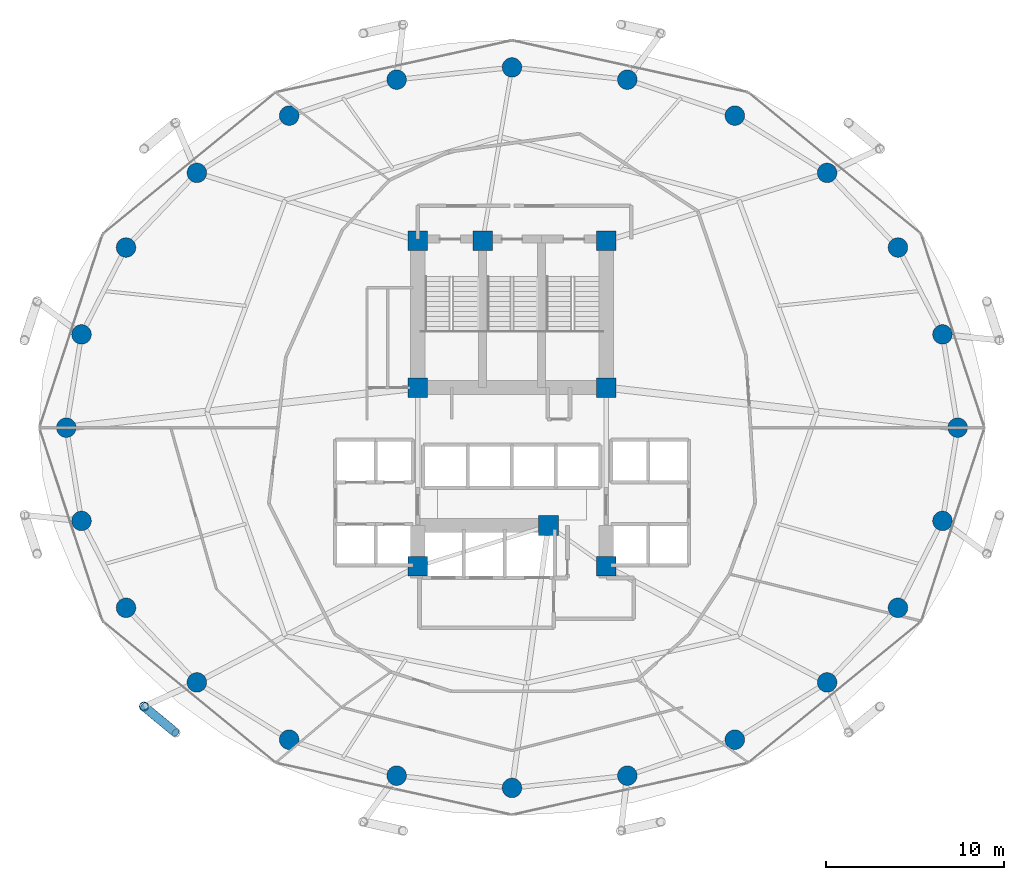
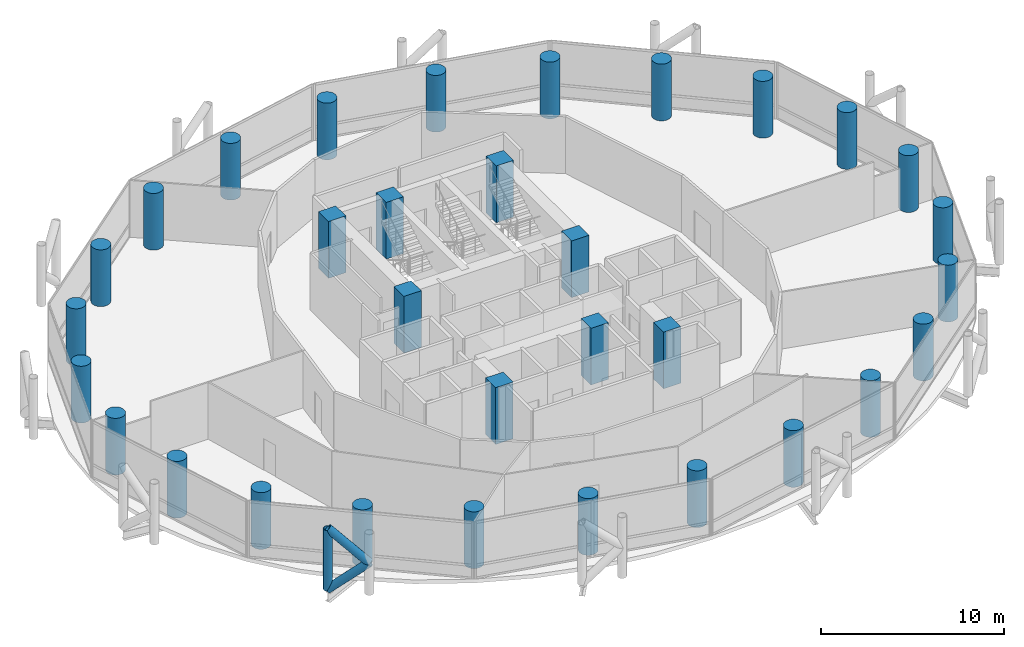
# One storey, part 1 of 24: 32 columns, 3 members.
"""IFC4 building model written with IfcOpenShell, lengths in metres."""

from ifc_helpers import new_model, si_unit, direction, frame, origin, origin_2d, place, context, subcontext, project, spatial, rectangle, circle, hollow_circle, extrude, material, material_profile, profile_set, type_object, element, save


model = new_model("IFC4")

# Units and contexts
model_context = context("Model", 3, precision=1e-05, world=origin(), true_north=direction((0.0, 1.0)))
body_context = subcontext(model_context, "Body", "Model", "MODEL_VIEW")
ifc_project = project(units=[si_unit("LENGTHUNIT", "METRE"), si_unit("AREAUNIT", "SQUARE_METRE"), si_unit("VOLUMEUNIT", "CUBIC_METRE"), si_unit("PLANEANGLEUNIT", "RADIAN"), si_unit("MASSUNIT", "GRAM", prefix="KILO")], contexts=[model_context])

# Site, building, storey
site_placement = place(None, origin())
site = spatial("IfcSite", under=ifc_project, at=site_placement, CompositionType="ELEMENT")
building_placement = place(site_placement, origin())
building = spatial("IfcBuilding", under=site, at=building_placement, Name="Nuhasar Tower", CompositionType="ELEMENT")
storey_placement = place(building_placement, frame((0.0, 0.0, 33.14990234375)))
storey = spatial("IfcBuildingStorey", under=building, at=storey_placement, Name="L07", CompositionType="ELEMENT", Elevation=33.14990234375)

# Columns
ifc_material_1 = material(Name="Concrete C80/95", Category="concrete")
ifc_material_profile_1 = material_profile(ifc_material_1, circle(Radius=0.550048828125, at=origin_2d()), Name="CFT1100")
ifc_profile_set_1 = profile_set([ifc_material_profile_1], Name="Concrete C80/95")
column_type_1 = type_object("IfcColumnType", Name="COL-CFT-1100", PredefinedType="COLUMN", material=ifc_profile_set_1)
for number, where, z_axis, x_axis, name in (
    (1, (64.050048828125, 26.800048828125, 0.0), (0.0, 0.0, 1.0), (1.0, 0.0, 0.0), "L07 Perimeter Composite Column TC-01"),
    (2, (63.196044921875, 32.041015625, 0.0), (0.0, 0.0, 1.0), (1.0, 0.0, 0.0), "L07 Perimeter Composite Column TC-02"),
    (3, (60.694091796875, 36.925048828125, 0.0), (0.0, 0.0, 1.0), (1.0, 0.0, 0.0), "L07 Perimeter Composite Column TC-03"),
    (4, (56.712890625, 41.118896484375, 0.0), (0.0, 0.0, 1.0), (1.0, 0.0, 0.0), "L07 Perimeter Composite Column TC-04"),
    (5, (51.52490234375, 44.3369140625, 0.0), (0.0, 0.0, 1.0), (1.0, 0.0, 0.0), "L07 Perimeter Composite Column TC-05"),
    (6, (45.48291015625, 46.360107421875, 0.0), (0.0, 0.0, 1.0), (1.0, 0.0, 0.0), "L07 Perimeter Composite Column TC-06"),
    (7, (39.0, 47.050048828125, 0.0), (0.0, 0.0, 1.0), (1.0, 0.0, 0.0), "L07 Perimeter Composite Column TC-07"),
    (8, (32.51708984375, 46.360107421875, 0.0), (0.0, 0.0, 1.0), (1.0, 0.0, 0.0), "L07 Perimeter Composite Column TC-08"),
    (9, (26.47509765625, 44.3369140625, 0.0), (0.0, 0.0, 1.0), (1.0, 0.0, 0.0), "L07 Perimeter Composite Column TC-09"),
    (10, (21.287109375, 41.118896484375, 0.0), (0.0, 0.0, 1.0), (1.0, 0.0, 0.0), "L07 Perimeter Composite Column TC-10"),
    (11, (17.305908203125, 36.925048828125, 0.0), (0.0, 0.0, 1.0), (1.0, 0.0, 0.0), "L07 Perimeter Composite Column TC-11"),
    (12, (14.803955078125, 32.041015625, 0.0), (0.0, 0.0, 1.0), (1.0, 0.0, 0.0), "L07 Perimeter Composite Column TC-12"),
    (13, (13.949951171875, 26.800048828125, 0.0), (0.0, 0.0, 1.0), (1.0, 0.0, 0.0), "L07 Perimeter Composite Column TC-13"),
    (14, (14.803955078125, 21.55908203125, 0.0), (0.0, 0.0, 1.0), (1.0, 0.0, 0.0), "L07 Perimeter Composite Column TC-14"),
    (15, (17.305908203125, 16.675048828125, 0.0), (0.0, 0.0, 1.0), (1.0, 0.0, 0.0), "L07 Perimeter Composite Column TC-15"),
    (16, (21.287109375, 12.48095703125, 0.0), (0.0, 0.0, 1.0), (1.0, 0.0, 0.0), "L07 Perimeter Composite Column TC-16"),
    (17, (26.47509765625, 9.262939453125, 0.0), (0.0, 0.0, 1.0), (1.0, 0.0, 0.0), "L07 Perimeter Composite Column TC-17"),
    (18, (32.51708984375, 7.239990234375, 0.0), (0.0, 0.0, 1.0), (1.0, 0.0, 0.0), "L07 Perimeter Composite Column TC-18"),
    (19, (39.0, 6.550048828125, 0.0), (0.0, 0.0, 1.0), (1.0, 0.0, 0.0), "L07 Perimeter Composite Column TC-19"),
    (20, (45.48291015625, 7.239990234375, 0.0), (0.0, 0.0, 1.0), (1.0, 0.0, 0.0), "L07 Perimeter Composite Column TC-20"),
    (21, (51.52490234375, 9.262939453125, 0.0), (0.0, 0.0, 1.0), (1.0, 0.0, 0.0), "L07 Perimeter Composite Column TC-21"),
    (22, (56.712890625, 12.48095703125, 0.0), (0.0, 0.0, 1.0), (1.0, 0.0, 0.0), "L07 Perimeter Composite Column TC-22"),
    (23, (60.694091796875, 16.675048828125, 0.0), (0.0, 0.0, 1.0), (1.0, 0.0, 0.0), "L07 Perimeter Composite Column TC-23"),
    (24, (63.196044921875, 21.55908203125, 0.0), (0.0, 0.0, 1.0), (1.0, 0.0, 0.0), "L07 Perimeter Composite Column TC-24"),
):
    element("IfcColumn", number, at=place(storey_placement, frame(where, z_axis=z_axis, x_axis=x_axis)), inside=storey, type_object=column_type_1, Name=name, PredefinedType="COLUMN", context=body_context, shape_type="SweptSolid", body=[
        extrude(circle(Radius=0.550048828125, at=origin_2d()), origin(), (0.0, 0.0, 1.0), 3.7900390625),
    ])
ifc_material_profile_2 = material_profile(ifc_material_1, rectangle(XDim=1.10009765625, YDim=1.10009765625, at=origin_2d()), Name="RC1100X1100")
ifc_profile_set_2 = profile_set([ifc_material_profile_2], Name="Concrete C80/95")
column_type_2 = type_object("IfcColumnType", Name="PIL-RC-1100", PredefinedType="PILASTER", material=ifc_profile_set_2)
for number, where, z_axis, x_axis, name in (
    (25, (33.699951171875, 19.0, 0.0), (0.0, 0.0, 1.0), (1.0, 0.0, 0.0), "L07 Core Boundary Pilaster CC-01"),
    (26, (41.050048828125, 21.300048828125, 0.0), (0.0, 0.0, 1.0), (1.0, 0.0, 0.0), "L07 Core Boundary Pilaster CC-02"),
    (27, (44.300048828125, 19.0, 0.0), (0.0, 0.0, 1.0), (1.0, 0.0, 0.0), "L07 Core Boundary Pilaster CC-03"),
    (28, (44.300048828125, 29.050048828125, 0.0), (0.0, 0.0, 1.0), (1.0, 0.0, 0.0), "L07 Core Boundary Pilaster CC-04"),
    (29, (44.300048828125, 37.300048828125, 0.0), (0.0, 0.0, 1.0), (1.0, 0.0, 0.0), "L07 Core Boundary Pilaster CC-05"),
    (30, (37.35009765625, 37.300048828125, 0.0), (0.0, 0.0, 1.0), (1.0, 0.0, 0.0), "L07 Core Boundary Pilaster CC-06"),
    (31, (33.699951171875, 37.300048828125, 0.0), (0.0, 0.0, 1.0), (1.0, 0.0, 0.0), "L07 Core Boundary Pilaster CC-07"),
    (32, (33.699951171875, 29.050048828125, 0.0), (0.0, 0.0, 1.0), (1.0, 0.0, 0.0), "L07 Core Boundary Pilaster CC-08"),
):
    element("IfcColumn", number, at=place(storey_placement, frame(where, z_axis=z_axis, x_axis=x_axis)), inside=storey, type_object=column_type_2, Name=name, PredefinedType="PILASTER", context=body_context, shape_type="SweptSolid", body=[
        extrude(rectangle(XDim=1.10009765625, YDim=1.10009765625, at=origin_2d()), origin(), (0.0, 0.0, 1.0), 3.7900390625),
    ])

# Members
ifc_material_2 = material(Name="Steel S460", Category="steel")
ifc_material_profile_3 = material_profile(ifc_material_2, hollow_circle(Radius=0.25390625, WallThickness=0.025390625, at=origin_2d()), Name="HSS508X25.4")
ifc_profile_set_3 = profile_set([ifc_material_profile_3], Name="Steel S460")
member_type = type_object("IfcMemberType", Name="EXO-BRONZE-508", PredefinedType="BRACE", material=ifc_profile_set_3)
member_1_placement = place(storey_placement, frame((18.31494140625, 11.12890625, 0.0), z_axis=(0.0, 0.0, 1.0), x_axis=(1.0, 0.0, 0.0)))
element("IfcMember", 33, at=member_1_placement, inside=storey, type_object=member_type, Name="L07 Exoskeleton Chord Column EC-08A", PredefinedType="BRACE", context=body_context, shape_type="SweptSolid", body=[
    extrude(hollow_circle(Radius=0.25390625, WallThickness=0.025390625, at=origin_2d()), origin(), (0.0, 0.0, 1.0), 4.050048828125),
])
member_2_placement = place(storey_placement, frame((18.31494140625, 11.12890625, 0.0), z_axis=(0.578071194894, -0.478911834514, 0.660664172175), x_axis=(0.637969333506, 0.770061769929, 0.0)))
element("IfcMember", 34, at=member_2_placement, inside=storey, type_object=member_type, Name="L07 Bronze Diagrid Brace W1-08", PredefinedType="BRACE", context=body_context, shape_type="SweptSolid", body=[
    extrude(hollow_circle(Radius=0.25390625, WallThickness=0.025390625, at=origin_2d()), origin(), (0.0, 0.0, 1.0), 3.0654296875),
])
member_3_placement = place(storey_placement, frame((20.0869140625, 9.660888671875, 2.025146484375), z_axis=(-0.578101613167, 0.478937034992, 0.660619286251), x_axis=(-0.637969333506, -0.770061769929, 0.0)))
element("IfcMember", 35, at=member_3_placement, inside=storey, type_object=member_type, Name="L07 Bronze Diagrid Brace W2-08", PredefinedType="BRACE", context=body_context, shape_type="SweptSolid", body=[
    extrude(hollow_circle(Radius=0.25390625, WallThickness=0.025390625, at=origin_2d()), origin(), (0.0, 0.0, 1.0), 3.065185546875),
])

save(model, "model.ifc")
